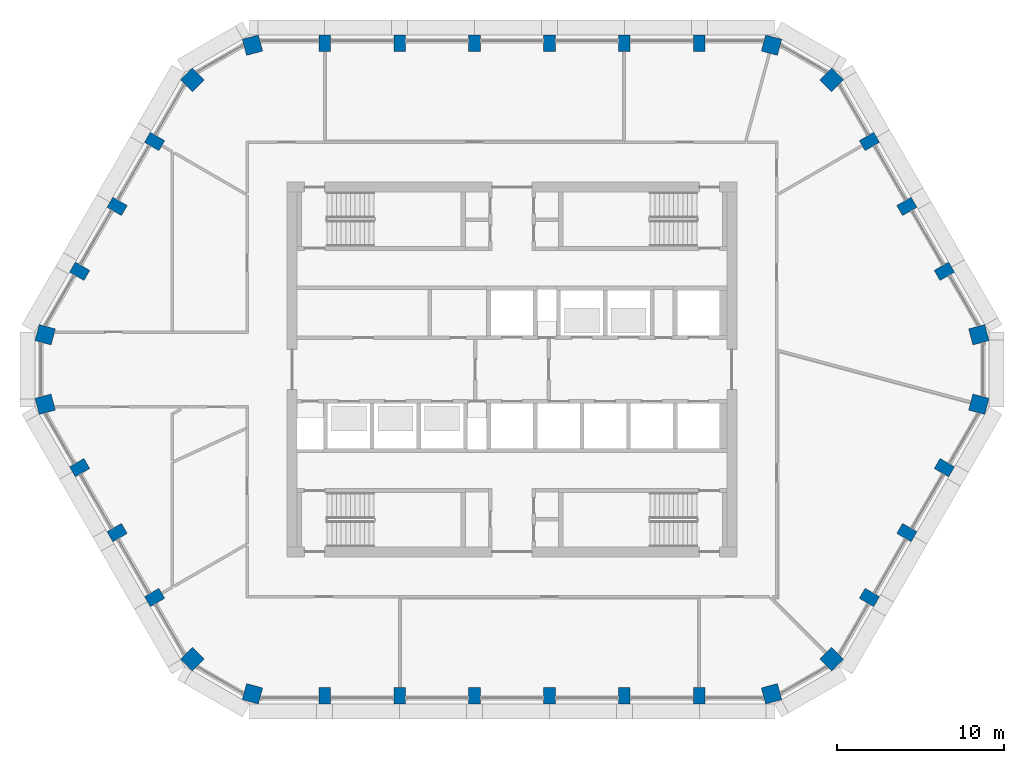
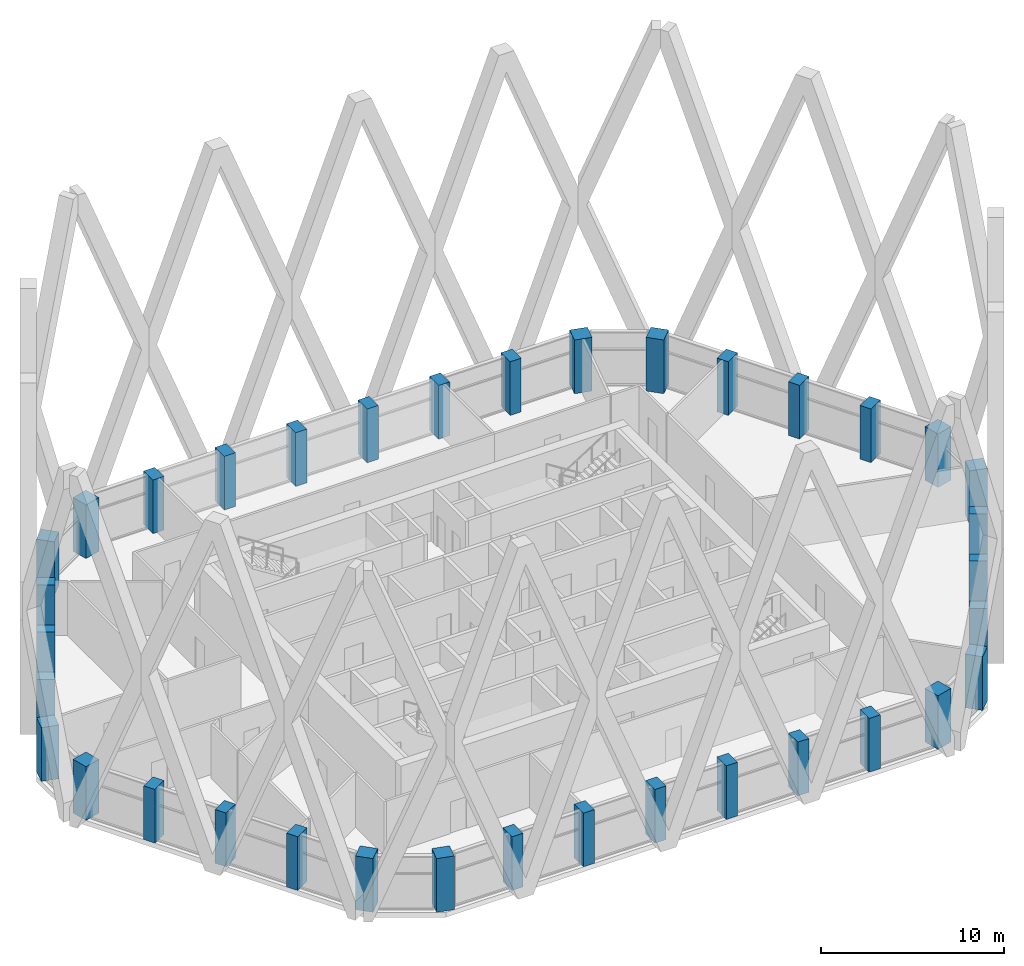
# One storey, part 1 of 20: 36 columns.
"""IFC4 building model written with IfcOpenShell, lengths in metres."""

from ifc_helpers import new_model, si_unit, direction, frame, origin, origin_2d, place, context, subcontext, project, spatial, rectangle, extrude, material, material_profile, profile_set, type_object, element, save


model = new_model("IFC4")

# Units and contexts
model_context = context("Model", 3, precision=1e-05, world=origin(), true_north=direction((0.0, 1.0)))
body_context = subcontext(model_context, "Body", "Model", "MODEL_VIEW")
ifc_project = project(units=[si_unit("LENGTHUNIT", "METRE"), si_unit("AREAUNIT", "SQUARE_METRE"), si_unit("VOLUMEUNIT", "CUBIC_METRE"), si_unit("PLANEANGLEUNIT", "RADIAN"), si_unit("MASSUNIT", "GRAM", prefix="KILO")], contexts=[model_context])

# Site, building, storey
site_placement = place(None, origin())
site = spatial("IfcSite", under=ifc_project, at=site_placement, CompositionType="ELEMENT")
building_placement = place(site_placement, origin())
building = spatial("IfcBuilding", under=site, at=building_placement, Name="Dhurran Vertical Campus", CompositionType="ELEMENT")
storey_placement = place(building_placement, frame((0.0, 0.0, 235.199951171875)))
storey = spatial("IfcBuildingStorey", under=building, at=storey_placement, Name="L58", CompositionType="ELEMENT", Elevation=235.199951171875)

# Columns
ifc_material_1 = material(Name="Concrete C50/60", Category="concrete")
ifc_material_profile_1 = material_profile(ifc_material_1, rectangle(XDim=1.0, YDim=1.0, at=origin_2d()), Name="RC 1000x1000")
ifc_profile_set_1 = profile_set([ifc_material_profile_1], Name="Concrete C50/60")
column_type_1 = type_object("IfcColumnType", Name="FR COL RC 1000x1000 C50/60", PredefinedType="COLUMN", material=ifc_profile_set_1)
for number, where, z_axis, x_axis, name in (
    (1, (-15.5859375, -19.47607421875, 0.0), (0.0, 0.0, 1.0), (0.965925826289, -0.258819045103, 0.0), "Perimeter pier PP5.00"),
    (2, (15.5859375, -19.47607421875, 0.0), (0.0, 0.0, 1.0), (0.965925826289, 0.258819045103, 0.0), "Perimeter pier PP5.07"),
    (3, (19.19873046875, -17.39013671875, 0.0), (0.0, 0.0, 1.0), (0.707106781187, 0.707106781187, 0.0), "Perimeter pier PP5.08"),
    (4, (28.03466796875, -2.0859375, 0.0), (0.0, 0.0, 1.0), (0.258819045103, 0.965925826289, 0.0), "Perimeter pier PP5.12"),
    (5, (28.03466796875, 2.0859375, 0.0), (0.0, 0.0, 1.0), (-0.258819045103, 0.965925826289, 0.0), "Perimeter pier PP5.13"),
    (6, (19.19873046875, 17.39013671875, 0.0), (0.0, 0.0, 1.0), (-0.707106781187, 0.707106781187, 0.0), "Perimeter pier PP5.17"),
    (7, (15.5859375, 19.47607421875, 0.0), (0.0, 0.0, 1.0), (-0.965925826289, 0.258819045103, 0.0), "Perimeter pier PP5.18"),
    (8, (-15.5859375, 19.47607421875, 0.0), (0.0, 0.0, 1.0), (-0.965925826289, -0.258819045103, 0.0), "Perimeter pier PP5.25"),
    (9, (-19.19873046875, 17.39013671875, 0.0), (0.0, 0.0, 1.0), (-0.707106781187, -0.707106781187, 0.0), "Perimeter pier PP5.26"),
    (10, (-28.03466796875, 2.0859375, 0.0), (0.0, 0.0, 1.0), (-0.258819045103, -0.965925826289, 0.0), "Perimeter pier PP5.30"),
    (11, (-28.03466796875, -2.0859375, 0.0), (0.0, 0.0, 1.0), (0.258819045103, -0.965925826289, 0.0), "Perimeter pier PP5.31"),
    (12, (-19.19873046875, -17.39013671875, 0.0), (0.0, 0.0, 1.0), (0.707106781187, -0.707106781187, 0.0), "Perimeter pier PP5.35"),
):
    element("IfcColumn", number, at=place(storey_placement, frame(where, z_axis=z_axis, x_axis=x_axis)), inside=storey, type_object=column_type_1, Name=name, PredefinedType="COLUMN", context=body_context, shape_type="SweptSolid", body=[
        extrude(rectangle(XDim=1.0, YDim=1.0, at=origin_2d()), origin(), (0.0, 0.0, 1.0), 3.574951171875),
    ])
ifc_material_2 = material(Name="Concrete C50/60", Category="concrete")
ifc_material_profile_2 = material_profile(ifc_material_2, rectangle(XDim=0.699951171875, YDim=1.0, at=origin_2d()), Name="RC 700x1000")
ifc_profile_set_2 = profile_set([ifc_material_profile_2], Name="Concrete C50/60")
column_type_2 = type_object("IfcColumnType", Name="FR COL RC 700x1000 C50/60", PredefinedType="COLUMN", material=ifc_profile_set_2)
for number, where, z_axis, x_axis, name in (
    (13, (-11.25, -19.58837890625, 0.0), (0.0, 0.0, 1.0), (1.0, 0.0, 0.0), "Perimeter pier PP5.01"),
    (14, (-6.75, -19.58837890625, 0.0), (0.0, 0.0, 1.0), (1.0, 0.0, 0.0), "Perimeter pier PP5.02"),
    (15, (-2.25, -19.58837890625, 0.0), (0.0, 0.0, 1.0), (1.0, 0.0, 0.0), "Perimeter pier PP5.03"),
    (16, (2.25, -19.58837890625, 0.0), (0.0, 0.0, 1.0), (1.0, 0.0, 0.0), "Perimeter pier PP5.04"),
    (17, (6.75, -19.58837890625, 0.0), (0.0, 0.0, 1.0), (1.0, 0.0, 0.0), "Perimeter pier PP5.05"),
    (18, (11.25, -19.58837890625, 0.0), (0.0, 0.0, 1.0), (1.0, 0.0, 0.0), "Perimeter pier PP5.06"),
    (19, (21.464111328125, -13.69140625, 0.0), (0.0, 0.0, 1.0), (0.5, 0.866025403784, 0.0), "Perimeter pier PP5.09"),
    (20, (23.714111328125, -9.794189453125, 0.0), (0.0, 0.0, 1.0), (0.5, 0.866025403784, 0.0), "Perimeter pier PP5.10"),
    (21, (25.964111328125, -5.897216796875, 0.0), (0.0, 0.0, 1.0), (0.5, 0.866025403784, 0.0), "Perimeter pier PP5.11"),
    (22, (25.964111328125, 5.897216796875, 0.0), (0.0, 0.0, 1.0), (-0.5, 0.866025403784, 0.0), "Perimeter pier PP5.14"),
    (23, (23.714111328125, 9.794189453125, 0.0), (0.0, 0.0, 1.0), (-0.5, 0.866025403784, 0.0), "Perimeter pier PP5.15"),
    (24, (21.464111328125, 13.69140625, 0.0), (0.0, 0.0, 1.0), (-0.5, 0.866025403784, 0.0), "Perimeter pier PP5.16"),
    (25, (11.25, 19.58837890625, 0.0), (0.0, 0.0, 1.0), (-1.0, 0.0, 0.0), "Perimeter pier PP5.19"),
    (26, (6.75, 19.58837890625, 0.0), (0.0, 0.0, 1.0), (-1.0, 0.0, 0.0), "Perimeter pier PP5.20"),
    (27, (2.25, 19.58837890625, 0.0), (0.0, 0.0, 1.0), (-1.0, 0.0, 0.0), "Perimeter pier PP5.21"),
    (28, (-2.25, 19.58837890625, 0.0), (0.0, 0.0, 1.0), (-1.0, 0.0, 0.0), "Perimeter pier PP5.22"),
    (29, (-6.75, 19.58837890625, 0.0), (0.0, 0.0, 1.0), (-1.0, 0.0, 0.0), "Perimeter pier PP5.23"),
    (30, (-11.25, 19.58837890625, 0.0), (0.0, 0.0, 1.0), (-1.0, 0.0, 0.0), "Perimeter pier PP5.24"),
    (31, (-21.464111328125, 13.69140625, 0.0), (0.0, 0.0, 1.0), (-0.5, -0.866025403784, 0.0), "Perimeter pier PP5.27"),
    (32, (-23.714111328125, 9.794189453125, 0.0), (0.0, 0.0, 1.0), (-0.5, -0.866025403784, 0.0), "Perimeter pier PP5.28"),
    (33, (-25.964111328125, 5.897216796875, 0.0), (0.0, 0.0, 1.0), (-0.5, -0.866025403784, 0.0), "Perimeter pier PP5.29"),
    (34, (-25.964111328125, -5.897216796875, 0.0), (0.0, 0.0, 1.0), (0.5, -0.866025403784, 0.0), "Perimeter pier PP5.32"),
    (35, (-23.714111328125, -9.794189453125, 0.0), (0.0, 0.0, 1.0), (0.5, -0.866025403784, 0.0), "Perimeter pier PP5.33"),
    (36, (-21.464111328125, -13.69140625, 0.0), (0.0, 0.0, 1.0), (0.5, -0.866025403784, 0.0), "Perimeter pier PP5.34"),
):
    element("IfcColumn", number, at=place(storey_placement, frame(where, z_axis=z_axis, x_axis=x_axis)), inside=storey, type_object=column_type_2, Name=name, PredefinedType="COLUMN", context=body_context, shape_type="SweptSolid", body=[
        extrude(rectangle(XDim=0.699951171875, YDim=1.0, at=origin_2d()), origin(), (0.0, 0.0, 1.0), 3.574951171875),
    ])

save(model, "model.ifc")
